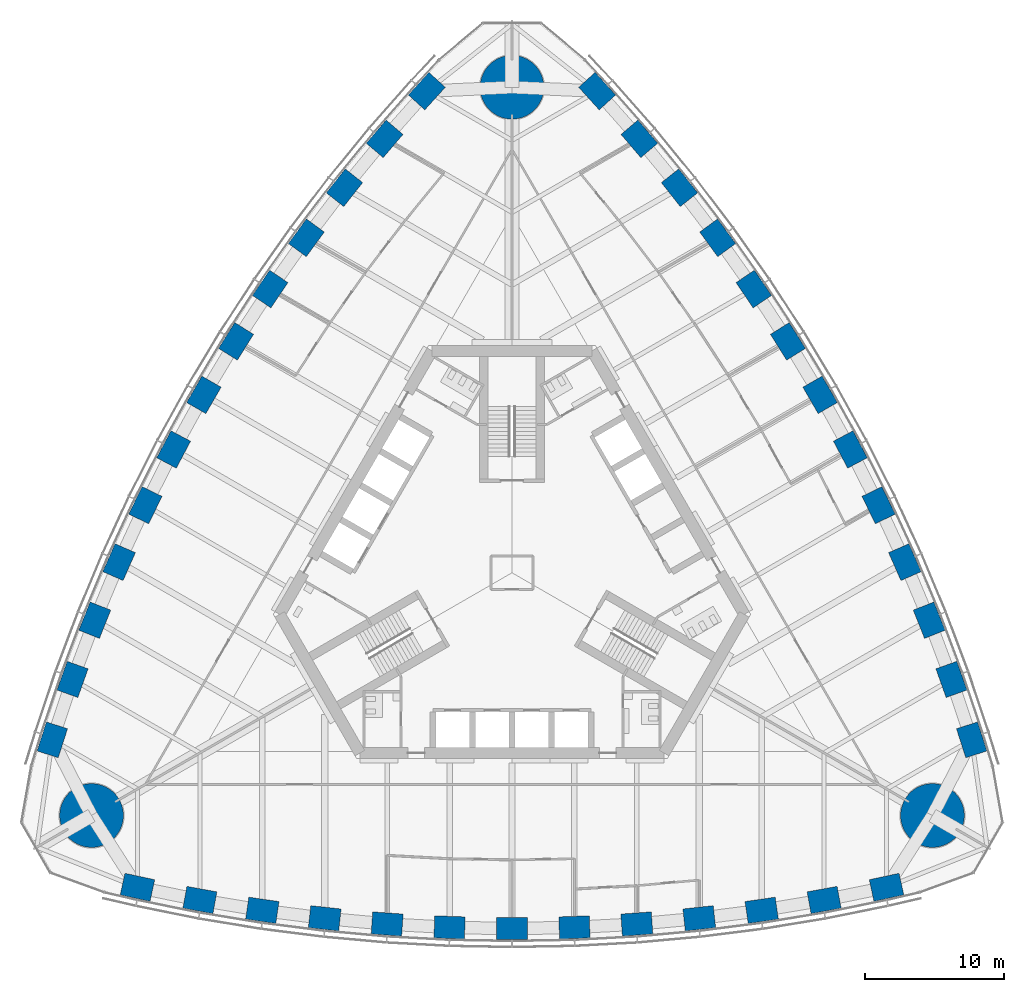
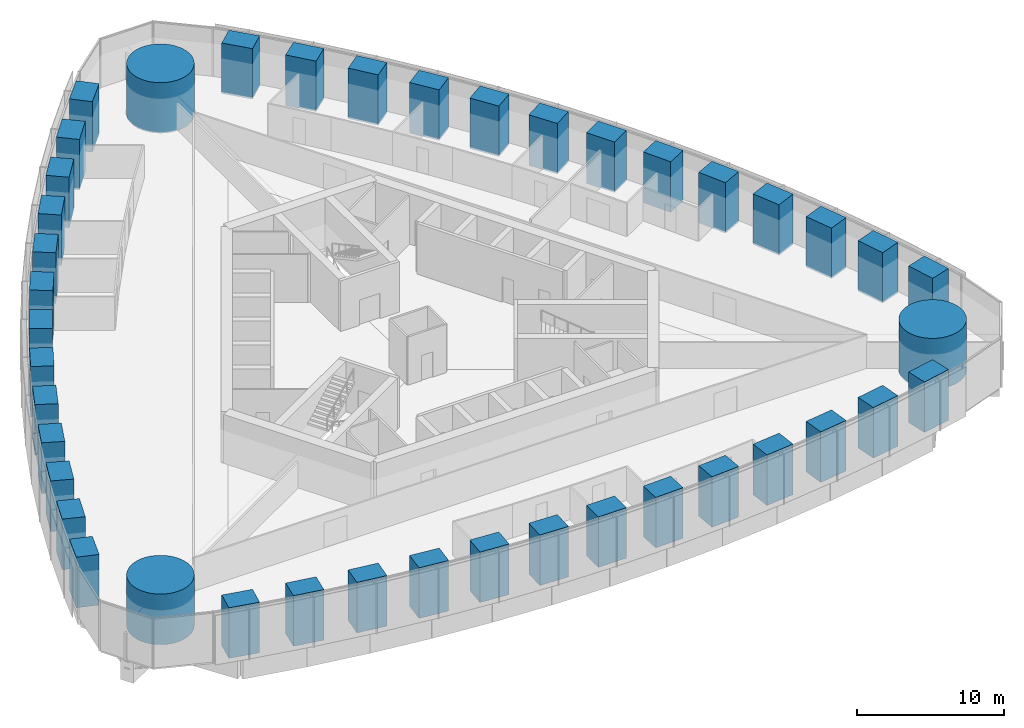
# One storey, part 1 of 18: 42 columns.
"""IFC4 building model written with IfcOpenShell, lengths in metres."""

from ifc_helpers import new_model, si_unit, direction, frame, origin, origin_2d, place, context, subcontext, project, spatial, rectangle, circle, extrude, material, material_profile, profile_set, type_object, element, save


model = new_model("IFC4")

# Units and contexts
model_context = context("Model", 3, precision=1e-05, world=origin(), true_north=direction((0.0, 1.0)))
body_context = subcontext(model_context, "Body", "Model", "MODEL_VIEW")
ifc_project = project(units=[si_unit("LENGTHUNIT", "METRE"), si_unit("AREAUNIT", "SQUARE_METRE"), si_unit("VOLUMEUNIT", "CUBIC_METRE"), si_unit("PLANEANGLEUNIT", "RADIAN"), si_unit("MASSUNIT", "GRAM", prefix="KILO")], contexts=[model_context])

# Site, building, storey
site_placement = place(None, origin())
site = spatial("IfcSite", under=ifc_project, at=site_placement, CompositionType="ELEMENT")
building_placement = place(site_placement, origin())
building = spatial("IfcBuilding", under=site, at=building_placement, Name="Trefoil Bronze Tower", CompositionType="ELEMENT")
storey_placement = place(building_placement, frame((0.0, 0.0, 115.699951171875)))
storey = spatial("IfcBuildingStorey", under=building, at=storey_placement, Name="L26", CompositionType="ELEMENT", Elevation=115.699951171875)

# Columns
ifc_material_1 = material(Name="Concrete B80", Category="concrete")
ifc_material_profile_1 = material_profile(ifc_material_1, circle(Radius=2.300048828125, at=origin_2d()), Name="RC D4600")
ifc_profile_set_1 = profile_set([ifc_material_profile_1], Name="Concrete B80")
column_type_1 = type_object("IfcColumnType", Name="Mega column RC D4600", PredefinedType="COLUMN", material=ifc_profile_set_1)
for number, where, z_axis, x_axis, name in (
    (1, (30.310791015625, -17.5, 0.0), (0.0, 0.0, 1.0), (1.0, 0.0, 0.0), "Mega column K1 L26"),
    (2, (0.0, 35.0, 0.0), (0.0, 0.0, 1.0), (1.0, 0.0, 0.0), "Mega column K2 L26"),
    (3, (-30.310791015625, -17.5, 0.0), (0.0, 0.0, 1.0), (1.0, 0.0, 0.0), "Mega column K3 L26"),
):
    element("IfcColumn", number, at=place(storey_placement, frame(where, z_axis=z_axis, x_axis=x_axis)), inside=storey, type_object=column_type_1, Name=name, PredefinedType="COLUMN", context=body_context, shape_type="SweptSolid", body=[
        extrude(circle(Radius=2.300048828125, at=origin_2d()), origin(), (0.0, 0.0, 1.0), 4.199951171875),
    ])
ifc_material_2 = material(Name="Concrete B80", Category="concrete")
ifc_material_profile_2 = material_profile(ifc_material_2, rectangle(XDim=2.199951171875, YDim=1.60009765625, at=origin_2d()), Name="RC 2200x1600")
ifc_profile_set_2 = profile_set([ifc_material_profile_2], Name="Concrete B80")
column_type_2 = type_object("IfcColumnType", Name="Tube column RC 2200x1600", PredefinedType="COLUMN", material=ifc_profile_set_2)
for number, where, z_axis, x_axis, name in (
    (4, (-27.0, -22.67724609375, 0.0), (0.0, 0.0, 1.0), (0.977276081214, -0.21197042503, 0.0), "Tube column F1/-6 L26"),
    (5, (-22.5, -23.592529296875, 0.0), (0.0, 0.0, 1.0), (0.98362250613, -0.180240853954, 0.0), "Tube column F1/-5 L26"),
    (6, (-18.0, -24.337158203125, 0.0), (0.0, 0.0, 1.0), (0.989549714366, -0.144192103798, 0.0), "Tube column F1/-4 L26"),
    (7, (-13.5, -24.9130859375, 0.0), (0.0, 0.0, 1.0), (0.994135267447, -0.108143747013, 0.0), "Tube column F1/-3 L26"),
    (8, (-9.0, -25.32275390625, 0.0), (0.0, 0.0, 1.0), (0.997397720802, -0.072095676284, 0.0), "Tube column F1/-2 L26"),
    (9, (-4.5, -25.568115234375, 0.0), (0.0, 0.0, 1.0), (0.999350067136, -0.036047792107, 0.0), "Tube column F1/-1 L26"),
    (10, (0.0, -25.649658203125, 0.0), (0.0, 0.0, 1.0), (1.0, 0.0, 0.0), "Tube column F1/+0 L26"),
    (11, (4.5, -25.568115234375, 0.0), (0.0, 0.0, 1.0), (0.999350067136, 0.036047792107, 0.0), "Tube column F1/+1 L26"),
    (12, (9.0, -25.32275390625, 0.0), (0.0, 0.0, 1.0), (0.997397720802, 0.072095676284, 0.0), "Tube column F1/+2 L26"),
    (13, (13.5, -24.9130859375, 0.0), (0.0, 0.0, 1.0), (0.994135267447, 0.108143747013, 0.0), "Tube column F1/+3 L26"),
    (14, (18.0, -24.337158203125, 0.0), (0.0, 0.0, 1.0), (0.989549714366, 0.144192103798, 0.0), "Tube column F1/+4 L26"),
    (15, (22.5, -23.592529296875, 0.0), (0.0, 0.0, 1.0), (0.98362250613, 0.180240853954, 0.0), "Tube column F1/+5 L26"),
    (16, (27.0, -22.67724609375, 0.0), (0.0, 0.0, 1.0), (0.977276081214, 0.21197042503, 0.0), "Tube column F1/+6 L26"),
    (17, (33.13916015625, -12.044189453125, 0.0), (0.0, 0.0, 1.0), (-0.30506626768, 0.952331125357, 0.0), "Tube column F2/-6 L26"),
    (18, (31.681884765625, -7.689208984375, 0.0), (0.0, 0.0, 1.0), (-0.335718094742, 0.94196250502, 0.0), "Tube column F2/-5 L26"),
    (19, (30.07666015625, -3.419921875, 0.0), (0.0, 0.0, 1.0), (-0.369900832269, 0.929071242848, 0.0), "Tube column F2/-4 L26"),
    (20, (28.325439453125, 0.76513671875, 0.0), (0.0, 0.0, 1.0), (-0.40341240155, 0.915018269914, 0.0), "Tube column F2/-3 L26"),
    (21, (26.43017578125, 4.8671875, 0.0), (0.0, 0.0, 1.0), (-0.436262173236, 0.899819602033, 0.0), "Tube column F2/-2 L26"),
    (22, (24.392578125, 8.886962890625, 0.0), (0.0, 0.0, 1.0), (-0.468456729853, 0.883486441467, 0.0), "Tube column F2/-1 L26"),
    (23, (22.21337890625, 12.824951171875, 0.0), (0.0, 0.0, 1.0), (-0.5, 0.866025403784, 0.0), "Tube column F2/+0 L26"),
    (24, (19.892578125, 16.68115234375, 0.0), (0.0, 0.0, 1.0), (-0.530893337283, 0.84743864936, 0.0), "Tube column F2/+1 L26"),
    (25, (17.43017578125, 20.45556640625, 0.0), (0.0, 0.0, 1.0), (-0.561135547566, 0.827723925749, 0.0), "Tube column F2/+2 L26"),
    (26, (14.825439453125, 24.14794921875, 0.0), (0.0, 0.0, 1.0), (-0.590722865897, 0.806874522901, 0.0), "Tube column F2/+3 L26"),
    (27, (12.07666015625, 27.757080078125, 0.0), (0.0, 0.0, 1.0), (-0.619648882098, 0.78487913905, 0.0), "Tube column F2/+4 L26"),
    (28, (9.181884765625, 31.281982421875, 0.0), (0.0, 0.0, 1.0), (-0.647904411389, 0.761721651066, 0.0), "Tube column F2/+5 L26"),
    (29, (6.13916015625, 34.72119140625, 0.0), (0.0, 0.0, 1.0), (-0.672209813534, 0.740360700327, 0.0), "Tube column F2/+6 L26"),
    (30, (-6.13916015625, 34.72119140625, 0.0), (0.0, 0.0, 1.0), (-0.672209813534, -0.740360700327, 0.0), "Tube column F3/-6 L26"),
    (31, (-9.181884765625, 31.281982421875, 0.0), (0.0, 0.0, 1.0), (-0.647904411389, -0.761721651066, 0.0), "Tube column F3/-5 L26"),
    (32, (-12.07666015625, 27.757080078125, 0.0), (0.0, 0.0, 1.0), (-0.619648882098, -0.78487913905, 0.0), "Tube column F3/-4 L26"),
    (33, (-14.825439453125, 24.14794921875, 0.0), (0.0, 0.0, 1.0), (-0.590722865897, -0.806874522901, 0.0), "Tube column F3/-3 L26"),
    (34, (-17.43017578125, 20.45556640625, 0.0), (0.0, 0.0, 1.0), (-0.561135547566, -0.827723925749, 0.0), "Tube column F3/-2 L26"),
    (35, (-19.892578125, 16.68115234375, 0.0), (0.0, 0.0, 1.0), (-0.530893337283, -0.84743864936, 0.0), "Tube column F3/-1 L26"),
    (36, (-22.21337890625, 12.824951171875, 0.0), (0.0, 0.0, 1.0), (-0.5, -0.866025403784, 0.0), "Tube column F3/+0 L26"),
    (37, (-24.392578125, 8.886962890625, 0.0), (0.0, 0.0, 1.0), (-0.468456729853, -0.883486441467, 0.0), "Tube column F3/+1 L26"),
    (38, (-26.43017578125, 4.8671875, 0.0), (0.0, 0.0, 1.0), (-0.436262173236, -0.899819602033, 0.0), "Tube column F3/+2 L26"),
    (39, (-28.325439453125, 0.76513671875, 0.0), (0.0, 0.0, 1.0), (-0.40341240155, -0.915018269914, 0.0), "Tube column F3/+3 L26"),
    (40, (-30.07666015625, -3.419921875, 0.0), (0.0, 0.0, 1.0), (-0.369900832269, -0.929071242848, 0.0), "Tube column F3/+4 L26"),
    (41, (-31.681884765625, -7.689208984375, 0.0), (0.0, 0.0, 1.0), (-0.335718094742, -0.94196250502, 0.0), "Tube column F3/+5 L26"),
    (42, (-33.13916015625, -12.044189453125, 0.0), (0.0, 0.0, 1.0), (-0.30506626768, -0.952331125357, 0.0), "Tube column F3/+6 L26"),
):
    element("IfcColumn", number, at=place(storey_placement, frame(where, z_axis=z_axis, x_axis=x_axis)), inside=storey, type_object=column_type_2, Name=name, PredefinedType="COLUMN", context=body_context, shape_type="SweptSolid", body=[
        extrude(rectangle(XDim=2.199951171875, YDim=1.60009765625, at=origin_2d()), origin(), (0.0, 0.0, 1.0), 4.199951171875),
    ])

save(model, "model.ifc")
